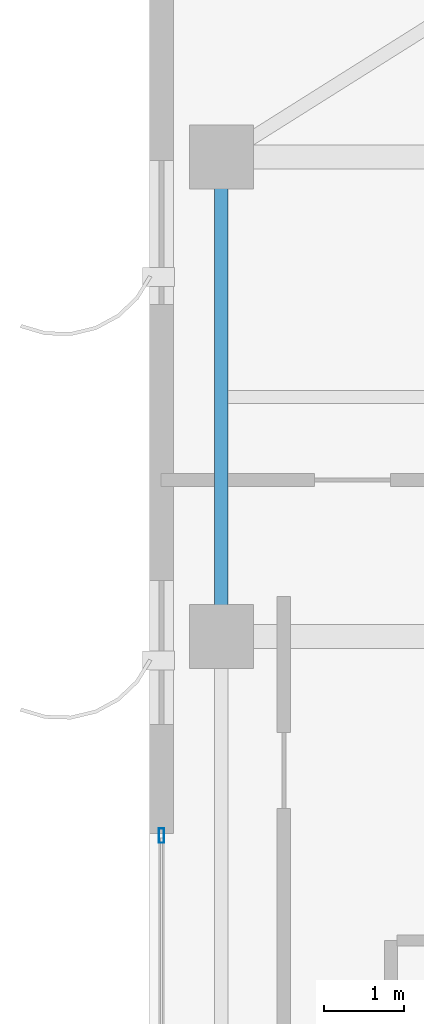
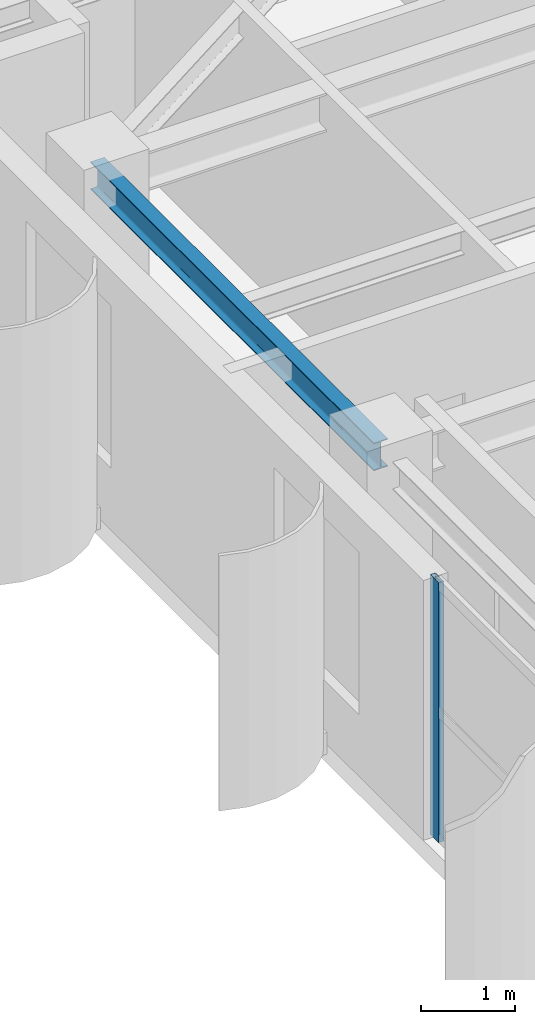
# One storey, part 7 of 23: 1 beam, 1 member, 1 element without a shape of its own.
"""IFC4 building model written with IfcOpenShell, lengths in metres."""

from ifc_helpers import new_model, si_unit, direction, frame, origin, origin_2d, place, context, subcontext, project, spatial, hollow_rectangle, i_section, extrude, source, transform, mapped, material, layer, layer_set, material_profile, profile_set, type_object, element, aggregate, save


model = new_model("IFC4")

# Units and contexts
model_context = context("Model", 3, precision=1e-05, world=origin(), true_north=direction((0.0, 1.0)))
body_context = subcontext(model_context, "Body", "Model", "MODEL_VIEW")
ifc_project = project(units=[si_unit("LENGTHUNIT", "METRE"), si_unit("AREAUNIT", "SQUARE_METRE"), si_unit("VOLUMEUNIT", "CUBIC_METRE"), si_unit("PLANEANGLEUNIT", "RADIAN"), si_unit("MASSUNIT", "GRAM", prefix="KILO")], contexts=[model_context])

# Site, building, storey
site_placement = place(None, origin())
site = spatial("IfcSite", under=ifc_project, at=site_placement, CompositionType="ELEMENT")
building_placement = place(site_placement, origin())
building = spatial("IfcBuilding", under=site, at=building_placement, Name="Khoralis Quay Care Tower", CompositionType="ELEMENT")
storey_placement = place(building_placement, frame((0.0, 0.0, 245.699951171875)))
storey = spatial("IfcBuildingStorey", under=building, at=storey_placement, Name="L64", CompositionType="ELEMENT", Elevation=245.699951171875)

# Beam
ifc_material_1 = material(Name="Steel S355", Category="steel")
ifc_material_profile_1 = material_profile(ifc_material_1, i_section(OverallWidth=0.169921875, OverallDepth=0.360107421875, WebThickness=0.008056640625, FlangeThickness=0.0126953125, FilletRadius=0.01806640625, at=origin_2d()), Name="Steel S355")
ifc_profile_set_1 = profile_set([ifc_material_profile_1], Name="Steel S355")
beam_type = type_object("IfcBeamType", Name="BM-IPE360", PredefinedType="SPANDREL", material=ifc_profile_set_1)
shared_shape_1 = source(origin(), body_context, "Body", "SweptSolid", [
    extrude(i_section(OverallWidth=0.169921875, OverallDepth=0.360107421875, WebThickness=0.008056640625, FlangeThickness=0.0126953125, FilletRadius=0.01806640625, at=origin_2d()), origin(), (0.0, 0.0, 1.0), 6.0),
])
beam_placement = place(storey_placement, frame((3.89990234375, 30.0, 3.179931640625), z_axis=(0.0, 1.0, 0.0), x_axis=(-1.0, 0.0, 0.0)))
element("IfcBeam", 1, at=beam_placement, inside=storey, type_object=beam_type, Name="BM-TSP-L64-08", PredefinedType="SPANDREL", context=body_context, shape_type="MappedRepresentation", body=[
    mapped(shared_shape_1, transform((0.0, 0.0, 0.0), scale=1.0)),
])

# Curtain wall, member
ifc_material_2 = material(Name="Pale anodised aluminium", Category="aluminium")
ifc_layer = layer(ifc_material_2, 0.159912109375)
ifc_layer_set = layer_set([ifc_layer], Name="Pale anodised aluminium")
curtain_wall_type = type_object("IfcCurtainWallType", Name="CW-SYS-Z3", PredefinedType="NOTDEFINED", material=ifc_layer_set)
curtain_wall_placement = place(storey_placement, origin())
curtain_wall = element("IfcCurtainWall", 2, at=curtain_wall_placement, inside=storey, type_object=curtain_wall_type, Name="L64 Unitised Curtain Wall CW-L64-P1-E7", PredefinedType="NOTDEFINED")
ifc_material_profile_2 = material_profile(ifc_material_2, hollow_rectangle(XDim=0.06494140625, YDim=0.179931640625, WallThickness=0.00390625, at=origin_2d()), Name="Pale anodised aluminium")
ifc_profile_set_2 = profile_set([ifc_material_profile_2], Name="Pale anodised aluminium")
member_type = type_object("IfcMemberType", Name="CW-MUL-180", PredefinedType="MULLION", material=ifc_profile_set_2)
shared_shape_2 = source(origin(), body_context, "Body", "SweptSolid", [
    extrude(hollow_rectangle(XDim=0.06494140625, YDim=0.179931640625, WallThickness=0.00390625, at=origin_2d()), origin(), (0.0, 0.0, 1.0), 3.360107421875),
])
member_placement = place(storey_placement, frame((3.14990234375, 27.510009765625, 0.0), z_axis=(0.0, 0.0, 1.0), x_axis=(1.0, 0.0, 0.0)))
member = element("IfcMember", 3, at=member_placement, type_object=member_type, Name="CW3 mullion 1", PredefinedType="MULLION", context=body_context, shape_type="MappedRepresentation", body=[
    mapped(shared_shape_2, transform((0.0, 0.0, 0.0), scale=1.0)),
])
aggregate(curtain_wall, [member])

save(model, "model.ifc")
